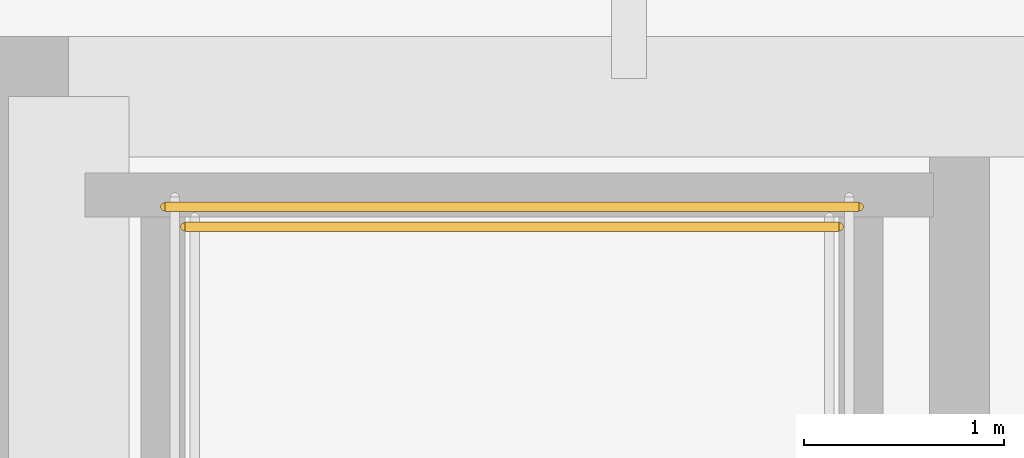
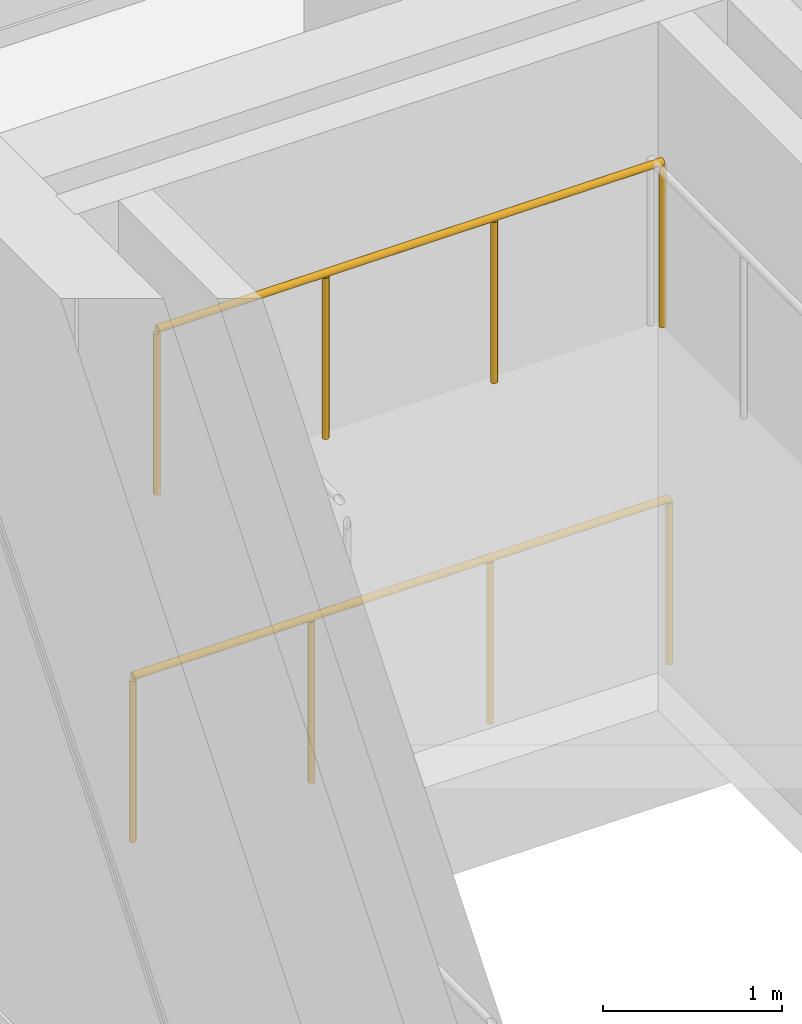
# One storey, part 14 of 14: 2 railings.
"""IFC4 building model written with IfcOpenShell, lengths in metres."""

import ifcopenshell
import ifcopenshell.guid

model = None  # the IFC model being written
_history = None  # IfcOwnerHistory: only IFC2X3 demands one
_inside = {}  # id of a spatial element -> (the spatial element, [elements in it])
_under = {}  # id of a project, library or spatial element -> (it, [spatial elements below it])
_declared = {}  # id of a project -> (the project, [libraries it declares])
_typed = {}  # id of a type object -> (the type object, [elements of that type])
_made_of = {}  # id of a material, layer set ... -> (it, [elements and type objects made of it])


def new_model(schema):
    """Start an empty IFC model of exactly this schema.

    Asked for "IFC4X3", IfcOpenShell would pick the latest addendum, in which some entities
    have other attributes; the version numbers below select the first issue.
    IFC2X3 requires an IfcOwnerHistory on every rooted entity: one is made here for all.
    """
    global model, _history
    if schema == "IFC4X3":
        model = ifcopenshell.file(schema_version=(4, 3, 0, 0))
    else:
        model = ifcopenshell.file(schema=schema)
    _inside.clear()
    _under.clear()
    _declared.clear()
    _typed.clear()
    _made_of.clear()
    _history = None
    if model.schema == "IFC2X3":
        org = make("IfcOrganization", Name="unknown")
        user = make(
            "IfcPersonAndOrganization",
            ThePerson=make("IfcPerson", FamilyName="unknown"),
            TheOrganization=org,
        )
        app = make(
            "IfcApplication",
            ApplicationDeveloper=org,
            Version="unknown",
            ApplicationFullName="unknown",
            ApplicationIdentifier="unknown",
        )
        _history = make(
            "IfcOwnerHistory",
            OwningUser=user,
            OwningApplication=app,
            ChangeAction="ADDED",
            CreationDate=0,
        )
    return model


def make(cls, **values):
    """One entity of the class cls with the attributes given. An attribute that is None is left unset."""
    return model.create_entity(
        cls, **{name: value for name, value in values.items() if value is not None}
    )


def rooted(cls, **values):
    """An entity with a GlobalId (a new one), such as an element, a storey or a relation."""
    return make(cls, GlobalId=ifcopenshell.guid.new(), OwnerHistory=_history, **values)


def si_unit(unit_type, name, prefix=None):
    """IfcSIUnit, for example si_unit("LENGTHUNIT", "METRE", prefix="MILLI")."""
    return make("IfcSIUnit", UnitType=unit_type, Prefix=prefix, Name=name)


def assignment(units):
    """IfcUnitAssignment: the units of a project."""
    return None if units is None else make("IfcUnitAssignment", Units=units)


def point(xyz):
    """IfcCartesianPoint."""
    return None if xyz is None else make("IfcCartesianPoint", Coordinates=xyz)


def direction(xyz):
    """IfcDirection."""
    return None if xyz is None else make("IfcDirection", DirectionRatios=xyz)


def frame(location, z_axis=None, x_axis=None):
    """IfcAxis2Placement3D, a coordinate frame: its origin and axes. An axis left out is left unset."""
    return make(
        "IfcAxis2Placement3D",
        Location=point(location),
        Axis=direction(z_axis),
        RefDirection=direction(x_axis),
    )


def frame_2d(location, x_axis=None):
    """IfcAxis2Placement2D, a coordinate frame in the plane: its origin and x axis."""
    return make(
        "IfcAxis2Placement2D", Location=point(location), RefDirection=direction(x_axis)
    )


def origin():
    """The frame at (0, 0, 0) with its axes left unset."""
    return frame((0.0, 0.0, 0.0))


def origin_2d():
    """The frame at (0, 0) in the plane with its x axis left unset."""
    return frame_2d((0.0, 0.0))


def place(relative_to, where):
    """IfcLocalPlacement: puts the frame where relative to a parent placement (None: the world)."""
    return make(
        "IfcLocalPlacement", PlacementRelTo=relative_to, RelativePlacement=where
    )


def context(
    kind, dimensions, precision=None, world=None, true_north=None, identifier=None
):
    """IfcGeometricRepresentationContext, for example the 3D "Model" context."""
    return make(
        "IfcGeometricRepresentationContext",
        ContextIdentifier=identifier,
        ContextType=kind,
        CoordinateSpaceDimension=dimensions,
        Precision=precision,
        WorldCoordinateSystem=world,
        TrueNorth=true_north,
    )


def subcontext(parent, identifier, kind, view, scale=None):
    """IfcGeometricRepresentationSubContext, for example "Body" below "Model"."""
    return make(
        "IfcGeometricRepresentationSubContext",
        ContextIdentifier=identifier,
        ContextType=kind,
        ParentContext=parent,
        TargetScale=scale,
        TargetView=view,
    )


def project(units=None, contexts=None):
    """IfcProject with its units and contexts."""
    return rooted(
        "IfcProject",
        Name="project",
        RepresentationContexts=contexts,
        UnitsInContext=assignment(units),
    )


def spatial(cls, under=None, at=None, **own):
    """A site, building, storey or space (cls), placed at a placement, below another one or the project."""
    s = rooted(cls, ObjectPlacement=at, **own)
    if under is not None:
        _under.setdefault(under.id(), (under, []))[1].append(s)
    return s


def profile(cls, at=None, kind="AREA", **sizes):
    """A parametric profile (cls). Its sizes go by their IFC names, for example OverallWidth=200.0."""
    return make(cls, ProfileType=kind, Position=at, **sizes)


def circle(**sizes):
    """IfcCircleProfileDef."""
    return profile("IfcCircleProfileDef", **sizes)


def extrude(swept, where, along, depth):
    """IfcExtrudedAreaSolid: the profile swept, set in the frame where, extruded along a direction by depth."""
    return make(
        "IfcExtrudedAreaSolid",
        SweptArea=swept,
        Position=where,
        ExtrudedDirection=direction(along),
        Depth=depth,
    )


def shape(context_of_items, identifier, shape_type, items):
    """IfcShapeRepresentation: the items that make up one representation, for example the "Body"."""
    return make(
        "IfcShapeRepresentation",
        ContextOfItems=context_of_items,
        RepresentationIdentifier=identifier,
        RepresentationType=shape_type,
        Items=items,
    )


def material(Name=None, Category=None):
    """IfcMaterial."""
    return make("IfcMaterial", Name=Name, Category=Category)


def made_of(thing, what):
    """Note that an element or type object is made of a material, layer set ...; save() writes the relation."""
    if what is not None:
        _made_of.setdefault(what.id(), (what, []))[1].append(thing)
    return thing


def type_object(cls, material=None, **own):
    """A type object (cls), such as IfcWallType, which elements share."""
    return made_of(rooted(cls, **own), material)


def element(
    cls,
    number,
    at=None,
    inside=None,
    cuts=None,
    type_object=None,
    material=None,
    context=None,
    identifier="Body",
    shape_type=None,
    held_by="IfcProductDefinitionShape",
    body=None,
    shapes=None,
    **own,
):
    """One element of the class cls, such as IfcWall. Its Tag is "e" and its number.

    at: its placement. inside: the storey or other place that contains it. cuts: it is an
    opening in that element (IfcRelVoidsElement). A single representation is given by context,
    identifier, shape_type and body (its items); several are given by shapes. held_by: the class
    of the entity that holds the representations. save() writes the other relations.
    """
    e = rooted(cls, Tag="e%d" % number, ObjectPlacement=at, **own)
    if body is not None:
        shapes = [shape(context, identifier, shape_type, body)]
    if shapes is not None:
        e.Representation = make(held_by, Representations=shapes)
    if inside is not None:
        _inside.setdefault(inside.id(), (inside, []))[1].append(e)
    if cuts is not None:
        rooted(
            "IfcRelVoidsElement", RelatingBuildingElement=cuts, RelatedOpeningElement=e
        )
    if type_object is not None:
        _typed.setdefault(type_object.id(), (type_object, []))[1].append(e)
    return made_of(e, material)


def aggregate(whole, parts):
    """IfcRelAggregates: a whole, such as a stair, and the parts it consists of."""
    return rooted("IfcRelAggregates", RelatingObject=whole, RelatedObjects=parts)


def save(model, path):
    """Write the relations noted so far, then the file.

    IfcRelAggregates (storeys below a building ...), IfcRelContainedInSpatialStructure (elements
    in a storey), IfcRelDefinesByType, IfcRelAssociatesMaterial and IfcRelDeclares: one each for
    every whole, place, type object, material and project.
    """
    for whole, parts in _under.values():
        aggregate(whole, parts)
    for where, things in _inside.values():
        rooted(
            "IfcRelContainedInSpatialStructure",
            RelatedElements=things,
            RelatingStructure=where,
        )
    for kind, things in _typed.values():
        rooted("IfcRelDefinesByType", RelatedObjects=things, RelatingType=kind)
    for what, things in _made_of.values():
        rooted("IfcRelAssociatesMaterial", RelatedObjects=things, RelatingMaterial=what)
    for by, libraries in _declared.values():
        rooted("IfcRelDeclares", RelatingContext=by, RelatedDefinitions=libraries)
    model.write(path)


model = new_model("IFC4")

# Units and contexts
model_context = context("Model", 3, precision=1e-05, world=origin(), true_north=direction((0.0, 1.0)))
body_context = subcontext(model_context, "Body", "Model", "MODEL_VIEW")
ifc_project = project(units=[si_unit("LENGTHUNIT", "METRE"), si_unit("AREAUNIT", "SQUARE_METRE"), si_unit("VOLUMEUNIT", "CUBIC_METRE"), si_unit("PLANEANGLEUNIT", "RADIAN"), si_unit("MASSUNIT", "GRAM", prefix="KILO")], contexts=[model_context])

# Site, building, storey
site_placement = place(None, origin())
site = spatial("IfcSite", under=ifc_project, at=site_placement, CompositionType="ELEMENT")
building_placement = place(site_placement, origin())
building = spatial("IfcBuilding", under=site, at=building_placement, Name="Khairoan Windgate Tower", CompositionType="ELEMENT")
storey_placement = place(building_placement, frame((0.0, 0.0, 320.39990234375)))
storey = spatial("IfcBuildingStorey", under=building, at=storey_placement, Name="L77", CompositionType="ELEMENT", Elevation=320.39990234375)

# Railings
ifc_material = material(Name="Steel S355", Category="steel")
railing_type = type_object("IfcRailingType", Name="Stairwell Safety Guardrail SGR-1150", PredefinedType="GUARDRAIL", material=ifc_material)
railing_1_placement = place(storey_placement, frame((-16.14990234375, 12.550048828125, 2.400146484375)))
element("IfcRailing", 1, at=railing_1_placement, inside=storey, type_object=railing_type, Name="L77 ST2 stair guard 5", PredefinedType="GUARDRAIL", context=body_context, shape_type="SweptSolid", body=[
    extrude(circle(Radius=0.02392578125, at=origin_2d()), frame((0.0, 0.0, 1.1259765625), z_axis=(-1.0, 0.0, 0.0), x_axis=(0.0, -1.0, 0.0)), (0.0, 0.0, 1.0), 3.27001953125),
    extrude(circle(Radius=0.02099609375, at=origin_2d()), origin(), (0.0, 0.0, 1.0), 1.101806640625),
    extrude(circle(Radius=0.02099609375, at=origin_2d()), frame((-1.090087890625, 0.0, 0.0)), (0.0, 0.0, 1.0), 1.101806640625),
    extrude(circle(Radius=0.02099609375, at=origin_2d()), frame((-2.179931640625, 0.0, 0.0)), (0.0, 0.0, 1.0), 1.101806640625),
    extrude(circle(Radius=0.02099609375, at=origin_2d()), frame((-3.27001953125, 0.0, 0.0)), (0.0, 0.0, 1.0), 1.101806640625),
])
railing_2_placement = place(storey_placement, frame((-16.050048828125, 12.64990234375, 0.0)))
element("IfcRailing", 2, at=railing_2_placement, inside=storey, type_object=railing_type, Name="L77 ST2 stair guard 12", PredefinedType="GUARDRAIL", context=body_context, shape_type="SweptSolid", body=[
    extrude(circle(Radius=0.02392578125, at=origin_2d()), frame((0.0, 0.0, 1.1259765625), z_axis=(-1.0, 0.0, 0.0), x_axis=(0.0, -1.0, 0.0)), (0.0, 0.0, 1.0), 3.469970703125),
    extrude(circle(Radius=0.02099609375, at=origin_2d()), origin(), (0.0, 0.0, 1.0), 1.101806640625),
    extrude(circle(Radius=0.02099609375, at=origin_2d()), frame((-1.15673828125, 0.0, 0.0)), (0.0, 0.0, 1.0), 1.101806640625),
    extrude(circle(Radius=0.02099609375, at=origin_2d()), frame((-2.313232421875, 0.0, 0.0)), (0.0, 0.0, 1.0), 1.101806640625),
    extrude(circle(Radius=0.02099609375, at=origin_2d()), frame((-3.469970703125, 0.0, 0.0)), (0.0, 0.0, 1.0), 1.101806640625),
])

save(model, "model.ifc")
